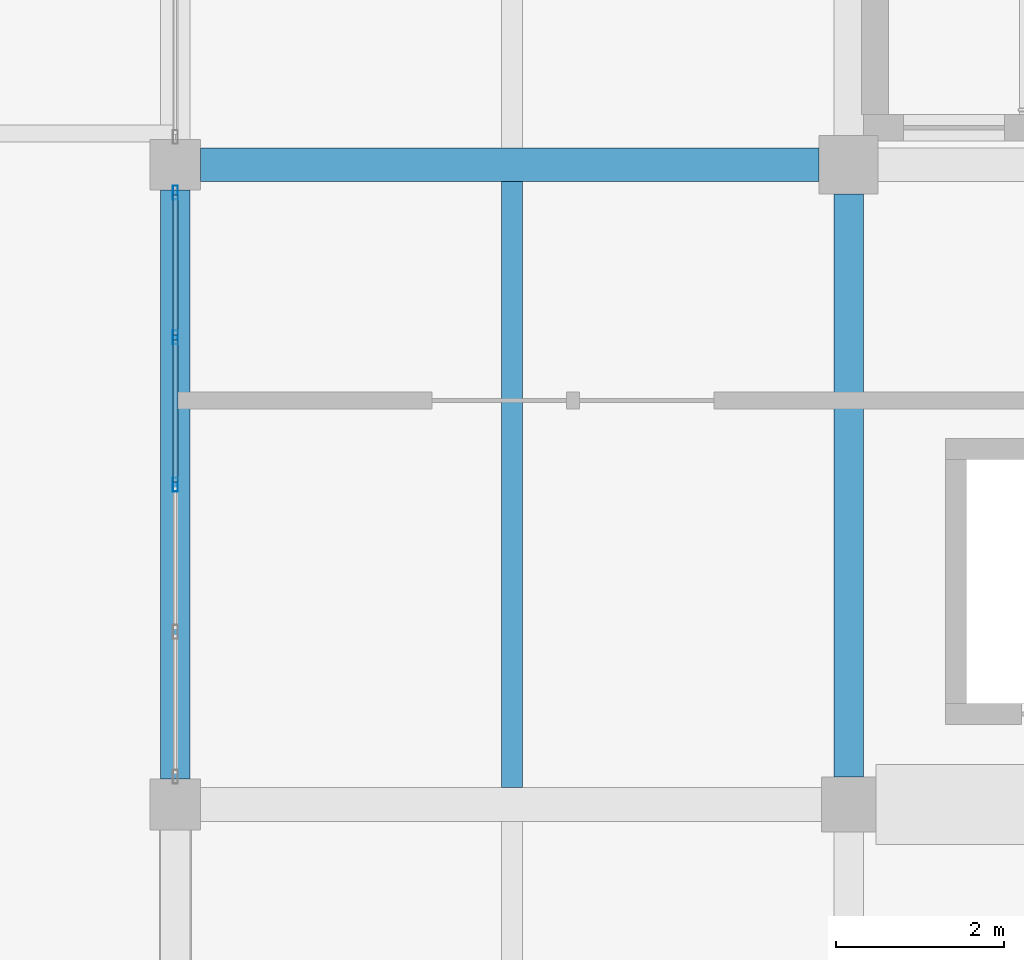
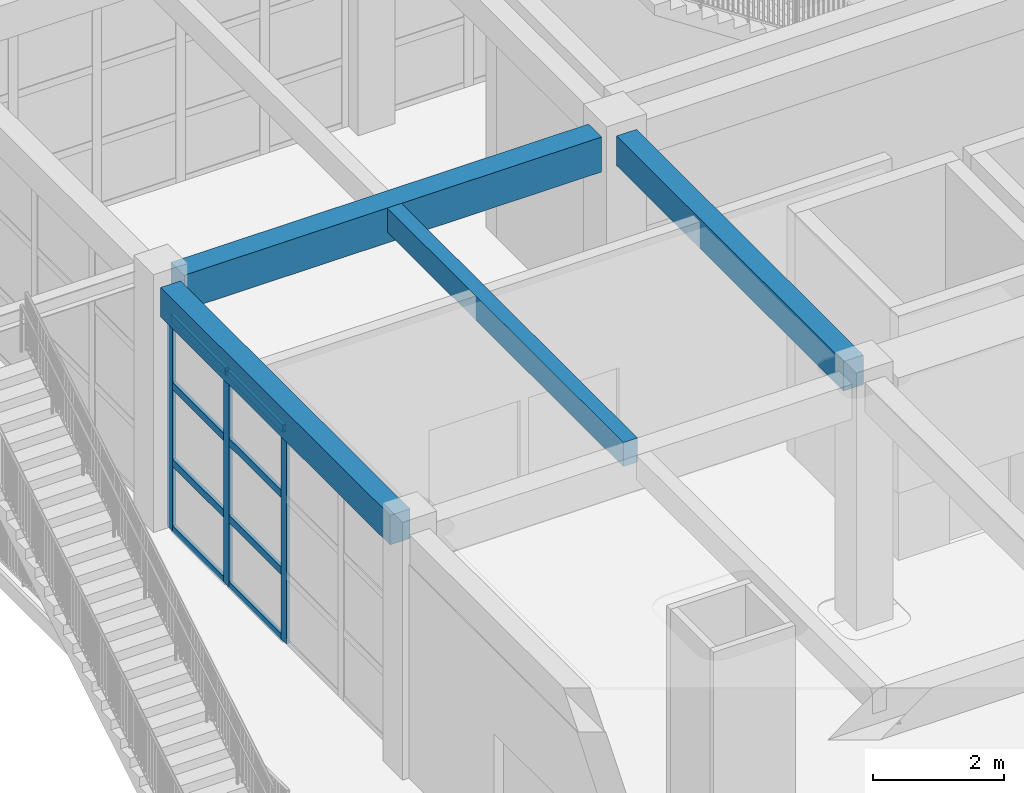
# One storey, part 11 of 50: 11 members, 4 beams, 1 element without a shape of its own.
"""IFC4 building model written with IfcOpenShell, lengths in metres."""

from ifc_helpers import new_model, si_unit, direction, frame, origin, origin_2d, place, context, subcontext, project, spatial, rectangle, hollow_rectangle, extrude, material, material_profile, profile_set, type_object, element, aggregate, save


model = new_model("IFC4")

# Units and contexts
model_context = context("Model", 3, precision=1e-05, world=origin(), true_north=direction((0.0, 1.0)))
body_context = subcontext(model_context, "Body", "Model", "MODEL_VIEW")
ifc_project = project(units=[si_unit("LENGTHUNIT", "METRE"), si_unit("AREAUNIT", "SQUARE_METRE"), si_unit("VOLUMEUNIT", "CUBIC_METRE"), si_unit("PLANEANGLEUNIT", "RADIAN"), si_unit("MASSUNIT", "GRAM", prefix="KILO")], contexts=[model_context])

# Site, building, storey
site_placement = place(None, origin())
site = spatial("IfcSite", under=ifc_project, at=site_placement, CompositionType="ELEMENT")
building_placement = place(site_placement, origin())
building = spatial("IfcBuilding", under=site, at=building_placement, Name="Zantavel Square City Hall", CompositionType="ELEMENT")
storey_placement = place(building_placement, frame((0.0, 0.0, 18.89990234375)))
storey = spatial("IfcBuildingStorey", under=building, at=storey_placement, Name="L05", CompositionType="ELEMENT", Elevation=18.89990234375)

# Curtain wall, members
ifc_material_1 = material(Name="Anodised aluminium 6063-T6", Category="aluminium")
curtain_wall_type = type_object("IfcCurtainWallType", Name="Curtain Wall TRV1 7000x3970", PredefinedType="USERDEFINED", material=ifc_material_1)
curtain_wall_placement = place(storey_placement, origin())
curtain_wall = element("IfcCurtainWall", 1, at=curtain_wall_placement, inside=storey, type_object=curtain_wall_type, Name="L05 Glazed Curtain Wall CW-L05-142", ObjectType="GLAZED CURTAIN WALL", PredefinedType="USERDEFINED")
ifc_material_profile_1 = material_profile(ifc_material_1, hollow_rectangle(XDim=0.06005859375, YDim=0.1650390625, WallThickness=0.00390625, at=origin_2d()), Name="ALU 60x165x4")
ifc_profile_set_1 = profile_set([ifc_material_profile_1], Name="Anodised aluminium 6063-T6")
member_type_1 = type_object("IfcMemberType", Name="CW Council Gallery Mullion ALU 60x165x4", PredefinedType="MULLION", material=ifc_profile_set_1)
member_1_placement = place(storey_placement, frame((56.0, 57.0, 0.0), z_axis=(0.0, 0.0, 1.0), x_axis=(-1.0, 0.0, 0.0)))
member_1 = element("IfcMember", 2, at=member_1_placement, type_object=member_type_1, Name="CW-142 mullion 3", PredefinedType="MULLION", context=body_context, shape_type="SweptSolid", body=[
    extrude(hollow_rectangle(XDim=0.06005859375, YDim=0.1650390625, WallThickness=0.00390625, at=origin_2d()), origin(), (0.0, 0.0, 1.0), 3.97021484375),
])
member_2_placement = place(storey_placement, frame((56.0, 58.75, 0.0), z_axis=(0.0, 0.0, 1.0), x_axis=(-1.0, 0.0, 0.0)))
member_2 = element("IfcMember", 3, at=member_2_placement, type_object=member_type_1, Name="CW-142 mullion 4", PredefinedType="MULLION", context=body_context, shape_type="SweptSolid", body=[
    extrude(hollow_rectangle(XDim=0.06005859375, YDim=0.1650390625, WallThickness=0.00390625, at=origin_2d()), origin(), (0.0, 0.0, 1.0), 3.97021484375),
])
member_3_placement = place(storey_placement, frame((56.0, 60.469970703125, 0.0), z_axis=(0.0, 0.0, 1.0), x_axis=(-1.0, 0.0, 0.0)))
member_3 = element("IfcMember", 4, at=member_3_placement, type_object=member_type_1, Name="CW-142 mullion 5", PredefinedType="MULLION", context=body_context, shape_type="SweptSolid", body=[
    extrude(hollow_rectangle(XDim=0.06005859375, YDim=0.1650390625, WallThickness=0.00390625, at=origin_2d()), origin(), (0.0, 0.0, 1.0), 3.97021484375),
])
ifc_material_profile_2 = material_profile(ifc_material_1, hollow_rectangle(XDim=0.06005859375, YDim=0.139892578125, WallThickness=0.00390625, at=origin_2d()), Name="ALU 60x140x4")
ifc_profile_set_2 = profile_set([ifc_material_profile_2], Name="Anodised aluminium 6063-T6")
member_type_2 = type_object("IfcMemberType", Name="CW Transom ALU 60x140x4", PredefinedType="USERDEFINED", material=ifc_profile_set_2)
member_4_placement = place(storey_placement, frame((56.0, 57.030029296875, 0.030029296875), z_axis=(0.0, 1.0, 0.0), x_axis=(-1.0, 0.0, 0.0)))
member_4 = element("IfcMember", 5, at=member_4_placement, type_object=member_type_2, Name="CW-142 transom 3.1", ObjectType="TRANSOM", PredefinedType="USERDEFINED", context=body_context, shape_type="SweptSolid", body=[
    extrude(hollow_rectangle(XDim=0.06005859375, YDim=0.139892578125, WallThickness=0.00390625, at=origin_2d()), origin(), (0.0, 0.0, 1.0), 1.68994140625),
])
member_5_placement = place(storey_placement, frame((56.0, 57.030029296875, 1.27001953125), z_axis=(0.0, 1.0, 0.0), x_axis=(-1.0, 0.0, 0.0)))
member_5 = element("IfcMember", 6, at=member_5_placement, type_object=member_type_2, Name="CW-142 transom 3.2", ObjectType="TRANSOM", PredefinedType="USERDEFINED", context=body_context, shape_type="SweptSolid", body=[
    extrude(hollow_rectangle(XDim=0.06005859375, YDim=0.139892578125, WallThickness=0.00390625, at=origin_2d()), origin(), (0.0, 0.0, 1.0), 1.68994140625),
])
member_6_placement = place(storey_placement, frame((56.0, 57.030029296875, 2.7001953125), z_axis=(0.0, 1.0, 0.0), x_axis=(-1.0, 0.0, 0.0)))
member_6 = element("IfcMember", 7, at=member_6_placement, type_object=member_type_2, Name="CW-142 transom 3.3", ObjectType="TRANSOM", PredefinedType="USERDEFINED", context=body_context, shape_type="SweptSolid", body=[
    extrude(hollow_rectangle(XDim=0.06005859375, YDim=0.139892578125, WallThickness=0.00390625, at=origin_2d()), origin(), (0.0, 0.0, 1.0), 1.68994140625),
])
member_7_placement = place(storey_placement, frame((56.0, 57.030029296875, 3.940185546875), z_axis=(0.0, 1.0, 0.0), x_axis=(-1.0, 0.0, 0.0)))
member_7 = element("IfcMember", 8, at=member_7_placement, type_object=member_type_2, Name="CW-142 transom 3.4", ObjectType="TRANSOM", PredefinedType="USERDEFINED", context=body_context, shape_type="SweptSolid", body=[
    extrude(hollow_rectangle(XDim=0.06005859375, YDim=0.139892578125, WallThickness=0.00390625, at=origin_2d()), origin(), (0.0, 0.0, 1.0), 1.68994140625),
])
member_8_placement = place(storey_placement, frame((56.0, 58.780029296875, 0.030029296875), z_axis=(0.0, 1.0, 0.0), x_axis=(-1.0, 0.0, 0.0)))
member_8 = element("IfcMember", 9, at=member_8_placement, type_object=member_type_2, Name="CW-142 transom 4.1", ObjectType="TRANSOM", PredefinedType="USERDEFINED", context=body_context, shape_type="SweptSolid", body=[
    extrude(hollow_rectangle(XDim=0.06005859375, YDim=0.139892578125, WallThickness=0.00390625, at=origin_2d()), origin(), (0.0, 0.0, 1.0), 1.659912109375),
])
member_9_placement = place(storey_placement, frame((56.0, 58.780029296875, 1.27001953125), z_axis=(0.0, 1.0, 0.0), x_axis=(-1.0, 0.0, 0.0)))
member_9 = element("IfcMember", 10, at=member_9_placement, type_object=member_type_2, Name="CW-142 transom 4.2", ObjectType="TRANSOM", PredefinedType="USERDEFINED", context=body_context, shape_type="SweptSolid", body=[
    extrude(hollow_rectangle(XDim=0.06005859375, YDim=0.139892578125, WallThickness=0.00390625, at=origin_2d()), origin(), (0.0, 0.0, 1.0), 1.659912109375),
])
member_10_placement = place(storey_placement, frame((56.0, 58.780029296875, 2.7001953125), z_axis=(0.0, 1.0, 0.0), x_axis=(-1.0, 0.0, 0.0)))
member_10 = element("IfcMember", 11, at=member_10_placement, type_object=member_type_2, Name="CW-142 transom 4.3", ObjectType="TRANSOM", PredefinedType="USERDEFINED", context=body_context, shape_type="SweptSolid", body=[
    extrude(hollow_rectangle(XDim=0.06005859375, YDim=0.139892578125, WallThickness=0.00390625, at=origin_2d()), origin(), (0.0, 0.0, 1.0), 1.659912109375),
])
member_11_placement = place(storey_placement, frame((56.0, 58.780029296875, 3.940185546875), z_axis=(0.0, 1.0, 0.0), x_axis=(-1.0, 0.0, 0.0)))
member_11 = element("IfcMember", 12, at=member_11_placement, type_object=member_type_2, Name="CW-142 transom 4.4", ObjectType="TRANSOM", PredefinedType="USERDEFINED", context=body_context, shape_type="SweptSolid", body=[
    extrude(hollow_rectangle(XDim=0.06005859375, YDim=0.139892578125, WallThickness=0.00390625, at=origin_2d()), origin(), (0.0, 0.0, 1.0), 1.659912109375),
])
aggregate(curtain_wall, [member_1, member_2, member_3, member_4, member_5, member_6, member_7, member_8, member_9, member_10, member_11])

# Beams
ifc_material_2 = material(Name="Concrete C35/45", Category="concrete")
ifc_material_profile_3 = material_profile(ifc_material_2, rectangle(XDim=0.39990234375, YDim=0.64990234375, at=origin_2d()), Name="RC 400x650")
ifc_profile_set_3 = profile_set([ifc_material_profile_3], Name="Concrete C35/45")
beam_type_1 = type_object("IfcBeamType", Name="Frame Beam RC 400x650 C35/45", PredefinedType="BEAM", material=ifc_profile_set_3)
beam_1_placement = place(storey_placement, frame((56.300048828125, 60.800048828125, 4.195068359375), z_axis=(1.0, 0.0, 0.0), x_axis=(0.0, 1.0, 0.0)))
element("IfcBeam", 13, at=beam_1_placement, inside=storey, type_object=beam_type_1, Name="L05 Girder BMX-L05-0560-0608", PredefinedType="BEAM", context=body_context, shape_type="SweptSolid", body=[
    extrude(rectangle(XDim=0.39990234375, YDim=0.64990234375, at=origin_2d()), origin(), (0.0, 0.0, 1.0), 7.349853515625),
])
ifc_material_profile_4 = material_profile(ifc_material_2, rectangle(XDim=0.25, YDim=0.449951171875, at=origin_2d()), Name="RC 250x450")
ifc_profile_set_4 = profile_set([ifc_material_profile_4], Name="Concrete C35/45")
beam_type_2 = type_object("IfcBeamType", Name="Light Floor Joist RC 250x450 C35/45", PredefinedType="JOIST", material=ifc_profile_set_4)
beam_2_placement = place(storey_placement, frame((60.0, 53.39990234375, 4.295166015625), z_axis=(0.0, 1.0, 0.0), x_axis=(-1.0, 0.0, 0.0)))
element("IfcBeam", 14, at=beam_2_placement, inside=storey, type_object=beam_type_2, Name="L05 Floor Joist JST-L05-0600-0532", PredefinedType="JOIST", context=body_context, shape_type="SweptSolid", body=[
    extrude(rectangle(XDim=0.25, YDim=0.449951171875, at=origin_2d()), origin(), (0.0, 0.0, 1.0), 7.2001953125),
])
ifc_material_profile_5 = material_profile(ifc_material_2, rectangle(XDim=0.35009765625, YDim=0.550048828125, at=origin_2d()), Name="RC 350x550")
ifc_profile_set_5 = profile_set([ifc_material_profile_5], Name="Concrete C35/45")
beam_type_3 = type_object("IfcBeamType", Name="Secondary Beam RC 350x550 C35/45", PredefinedType="BEAM", material=ifc_profile_set_5)
beam_3_placement = place(storey_placement, frame((56.0, 53.5, 4.2451171875), z_axis=(0.0, 1.0, 0.0), x_axis=(-1.0, 0.0, 0.0)))
element("IfcBeam", 15, at=beam_3_placement, inside=storey, type_object=beam_type_3, Name="L05 Beam BMY-L05-0560-0532", PredefinedType="BEAM", context=body_context, shape_type="SweptSolid", body=[
    extrude(rectangle(XDim=0.35009765625, YDim=0.550048828125, at=origin_2d()), origin(), (0.0, 0.0, 1.0), 7.0),
])
beam_4_placement = place(storey_placement, frame((64.0, 53.52490234375, 4.295166015625), z_axis=(0.0, 1.0, 0.0), x_axis=(-1.0, 0.0, 0.0)))
element("IfcBeam", 16, at=beam_4_placement, inside=storey, type_object=beam_type_3, Name="L05 Beam BMY-L05-0640-0532", PredefinedType="BEAM", context=body_context, shape_type="SweptSolid", body=[
    extrude(rectangle(XDim=0.35009765625, YDim=0.550048828125, at=origin_2d()), origin(), (0.0, 0.0, 1.0), 6.925048828125),
])

save(model, "model.ifc")
